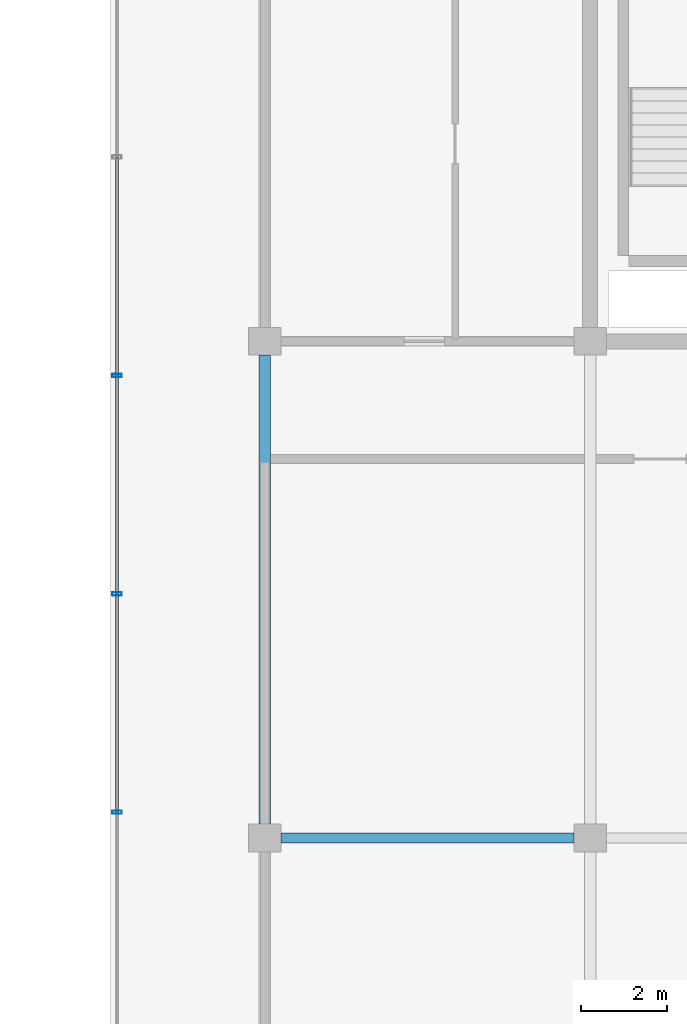
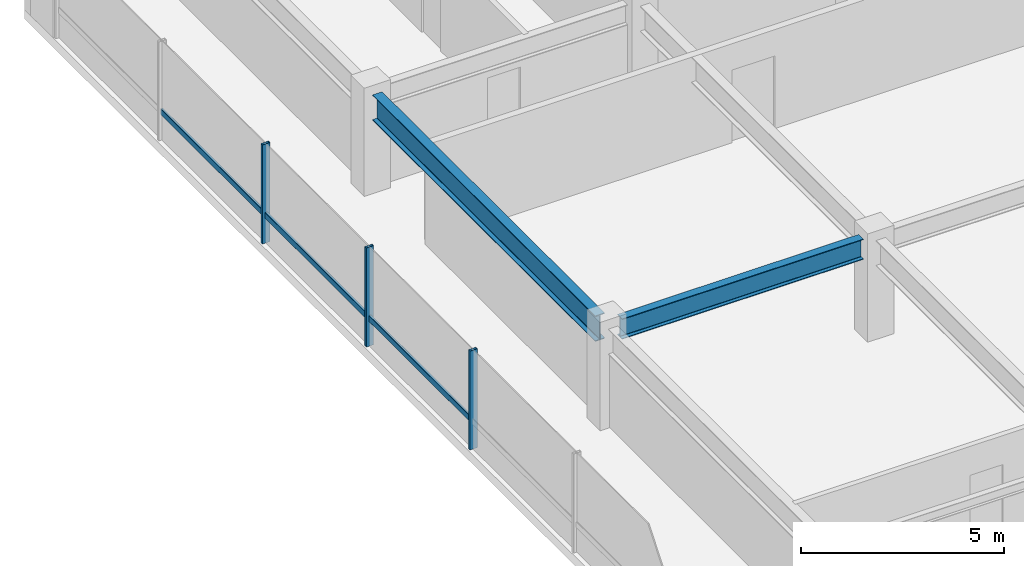
# One storey, part 4 of 30: 6 members, 2 beams, 1 element without a shape of its own.
"""IFC4 building model written with IfcOpenShell, lengths in metres."""

from ifc_helpers import new_model, si_unit, direction, frame, origin, origin_2d, place, context, subcontext, project, spatial, hollow_rectangle, i_section, extrude, material, layer, layer_set, material_profile, profile_set, type_object, element, aggregate, save


model = new_model("IFC4")

# Units and contexts
model_context = context("Model", 3, precision=1e-05, world=origin(), true_north=direction((0.0, 1.0)))
body_context = subcontext(model_context, "Body", "Model", "MODEL_VIEW")
ifc_project = project(units=[si_unit("LENGTHUNIT", "METRE"), si_unit("AREAUNIT", "SQUARE_METRE"), si_unit("VOLUMEUNIT", "CUBIC_METRE"), si_unit("PLANEANGLEUNIT", "RADIAN"), si_unit("MASSUNIT", "GRAM", prefix="KILO")], contexts=[model_context])

# Site, building, storey
site_placement = place(None, origin())
site = spatial("IfcSite", under=ifc_project, at=site_placement, CompositionType="ELEMENT")
building_placement = place(site_placement, origin())
building = spatial("IfcBuilding", under=site, at=building_placement, Name="Korimba Cascade Residences", CompositionType="ELEMENT")
storey_placement = place(building_placement, frame((0.0, 0.0, 201.10009765625)))
storey = spatial("IfcBuildingStorey", under=building, at=storey_placement, Name="L58", CompositionType="ELEMENT", Elevation=201.10009765625)

# Beams
ifc_material_1 = material(Name="Steel S355", Category="steel")
ifc_material_profile_1 = material_profile(ifc_material_1, i_section(OverallWidth=0.22900390625, OverallDepth=0.6123046875, WebThickness=0.011962890625, FlangeThickness=0.01953125, FilletRadius=0.0126953125, at=origin_2d()), Name="Steel S355")
ifc_profile_set_1 = profile_set([ifc_material_profile_1], Name="Steel S355")
beam_type_1 = type_object("IfcBeamType", Name="BM-STL-UB610B", PredefinedType="BEAM", material=ifc_profile_set_1)
beam_1_placement = place(storey_placement, frame((74.875, 6.800048828125, 2.663818359375), z_axis=(1.0, 0.0, 0.0), x_axis=(0.0, 1.0, 0.0)))
element("IfcBeam", 1, at=beam_1_placement, inside=storey, type_object=beam_type_1, Name="L58 T2 E-W Girder Y2 Bay 1", PredefinedType="BEAM", context=body_context, shape_type="SweptSolid", body=[
    extrude(i_section(OverallWidth=0.22900390625, OverallDepth=0.6123046875, WebThickness=0.011962890625, FlangeThickness=0.01953125, FilletRadius=0.0126953125, at=origin_2d()), origin(), (0.0, 0.0, 1.0), 6.85009765625),
])
ifc_material_profile_2 = material_profile(ifc_material_1, i_section(OverallWidth=0.26806640625, OverallDepth=0.769775390625, WebThickness=0.015625, FlangeThickness=0.025390625, FilletRadius=0.0166015625, at=origin_2d()), Name="Steel S355")
ifc_profile_set_2 = profile_set([ifc_material_profile_2], Name="Steel S355")
beam_type_2 = type_object("IfcBeamType", Name="BM-STL-UB762", PredefinedType="BEAM", material=ifc_profile_set_2)
beam_2_placement = place(storey_placement, frame((74.5, 7.125, 2.5849609375), z_axis=(0.0, 1.0, 0.0), x_axis=(-1.0, 0.0, 0.0)))
element("IfcBeam", 2, at=beam_2_placement, inside=storey, type_object=beam_type_2, Name="L58 T2 N-S Girder X1 Seg 2", PredefinedType="BEAM", context=body_context, shape_type="SweptSolid", body=[
    extrude(i_section(OverallWidth=0.26806640625, OverallDepth=0.769775390625, WebThickness=0.015625, FlangeThickness=0.025390625, FilletRadius=0.0166015625, at=origin_2d()), origin(), (0.0, 0.0, 1.0), 10.949951171875),
])

# Curtain wall, members
ifc_material_2 = material(Name="Anodised Aluminium Curtain Wall Framing", Category="aluminium")
ifc_layer = layer(ifc_material_2, 0.179931640625)
ifc_layer_set = layer_set([ifc_layer], Name="Anodised Aluminium Curtain Wall Framing")
curtain_wall_type = type_object("IfcCurtainWallType", Name="CW-SKY-SYS2", PredefinedType="NOTDEFINED", material=ifc_layer_set)
curtain_wall_placement = place(storey_placement, origin())
curtain_wall = element("IfcCurtainWall", 3, at=curtain_wall_placement, inside=storey, type_object=curtain_wall_type, Name="L58 Curtain Wall CW-L58-T2-E9", PredefinedType="NOTDEFINED")
ifc_material_3 = material(Name="Anodised Aluminium Mullion", Category="aluminium")
ifc_material_profile_3 = material_profile(ifc_material_3, hollow_rectangle(XDim=0.080078125, YDim=0.219970703125, WallThickness=0.00634765625, InnerFilletRadius=0.00634765625, OuterFilletRadius=0.0126953125, at=origin_2d()), Name="Anodised Aluminium Mullion")
ifc_profile_set_3 = profile_set([ifc_material_profile_3], Name="Anodised Aluminium Mullion")
member_type_1 = type_object("IfcMemberType", Name="CWM-MUL-220", PredefinedType="MULLION", material=ifc_profile_set_3)
member_1_placement = place(storey_placement, frame((71.050048828125, 17.60009765625, 0.0), z_axis=(0.0, 0.0, 1.0), x_axis=(0.0, -1.0, 0.0)))
member_1 = element("IfcMember", 4, at=member_1_placement, type_object=member_type_1, Name="CW-L58-T2-E9 Mullion 3", PredefinedType="MULLION", context=body_context, shape_type="SweptSolid", body=[
    extrude(hollow_rectangle(XDim=0.080078125, YDim=0.219970703125, WallThickness=0.00634765625, InnerFilletRadius=0.00634765625, OuterFilletRadius=0.0126953125, at=origin_2d()), origin(), (0.0, 0.0, 1.0), 2.969970703125),
])
member_2_placement = place(storey_placement, frame((71.050048828125, 12.5, 0.0), z_axis=(0.0, 0.0, 1.0), x_axis=(0.0, -1.0, 0.0)))
member_2 = element("IfcMember", 5, at=member_2_placement, type_object=member_type_1, Name="CW-L58-T2-E9 Mullion 4", PredefinedType="MULLION", context=body_context, shape_type="SweptSolid", body=[
    extrude(hollow_rectangle(XDim=0.080078125, YDim=0.219970703125, WallThickness=0.00634765625, InnerFilletRadius=0.00634765625, OuterFilletRadius=0.0126953125, at=origin_2d()), origin(), (0.0, 0.0, 1.0), 2.969970703125),
])
member_3_placement = place(storey_placement, frame((71.050048828125, 7.39990234375, 0.0), z_axis=(0.0, 0.0, 1.0), x_axis=(0.0, -1.0, 0.0)))
member_3 = element("IfcMember", 6, at=member_3_placement, type_object=member_type_1, Name="CW-L58-T2-E9 Mullion 5", PredefinedType="MULLION", context=body_context, shape_type="SweptSolid", body=[
    extrude(hollow_rectangle(XDim=0.080078125, YDim=0.219970703125, WallThickness=0.00634765625, InnerFilletRadius=0.00634765625, OuterFilletRadius=0.0126953125, at=origin_2d()), origin(), (0.0, 0.0, 1.0), 2.969970703125),
])
ifc_material_4 = material(Name="Anodised Aluminium Transom", Category="aluminium")
ifc_material_profile_4 = material_profile(ifc_material_4, hollow_rectangle(XDim=0.070068359375, YDim=0.179931640625, WallThickness=0.0048828125, InnerFilletRadius=0.0048828125, OuterFilletRadius=0.010009765625, at=origin_2d()), Name="Anodised Aluminium Transom")
ifc_profile_set_4 = profile_set([ifc_material_profile_4], Name="Anodised Aluminium Transom")
member_type_2 = type_object("IfcMemberType", Name="CWM-TRN-150", PredefinedType="USERDEFINED", material=ifc_profile_set_4)
member_4_placement = place(storey_placement, frame((71.050048828125, 22.699951171875, 0.83154296875), z_axis=(0.0, -1.0, 0.0), x_axis=(1.0, 0.0, 0.0)))
member_4 = element("IfcMember", 7, at=member_4_placement, type_object=member_type_2, Name="CW-L58-T2-E9 Transom 2", ObjectType="TRANSOM", PredefinedType="USERDEFINED", context=body_context, shape_type="SweptSolid", body=[
    extrude(hollow_rectangle(XDim=0.070068359375, YDim=0.179931640625, WallThickness=0.0048828125, InnerFilletRadius=0.0048828125, OuterFilletRadius=0.010009765625, at=origin_2d()), origin(), (0.0, 0.0, 1.0), 5.099853515625),
])
member_5_placement = place(storey_placement, frame((71.050048828125, 17.60009765625, 0.83154296875), z_axis=(0.0, -1.0, 0.0), x_axis=(1.0, 0.0, 0.0)))
member_5 = element("IfcMember", 8, at=member_5_placement, type_object=member_type_2, Name="CW-L58-T2-E9 Transom 3", ObjectType="TRANSOM", PredefinedType="USERDEFINED", context=body_context, shape_type="SweptSolid", body=[
    extrude(hollow_rectangle(XDim=0.070068359375, YDim=0.179931640625, WallThickness=0.0048828125, InnerFilletRadius=0.0048828125, OuterFilletRadius=0.010009765625, at=origin_2d()), origin(), (0.0, 0.0, 1.0), 5.10009765625),
])
member_6_placement = place(storey_placement, frame((71.050048828125, 12.5, 0.83154296875), z_axis=(0.0, -1.0, 0.0), x_axis=(1.0, 0.0, 0.0)))
member_6 = element("IfcMember", 9, at=member_6_placement, type_object=member_type_2, Name="CW-L58-T2-E9 Transom 4", ObjectType="TRANSOM", PredefinedType="USERDEFINED", context=body_context, shape_type="SweptSolid", body=[
    extrude(hollow_rectangle(XDim=0.070068359375, YDim=0.179931640625, WallThickness=0.0048828125, InnerFilletRadius=0.0048828125, OuterFilletRadius=0.010009765625, at=origin_2d()), origin(), (0.0, 0.0, 1.0), 5.10009765625),
])
aggregate(curtain_wall, [member_1, member_2, member_3, member_4, member_5, member_6])

save(model, "model.ifc")
